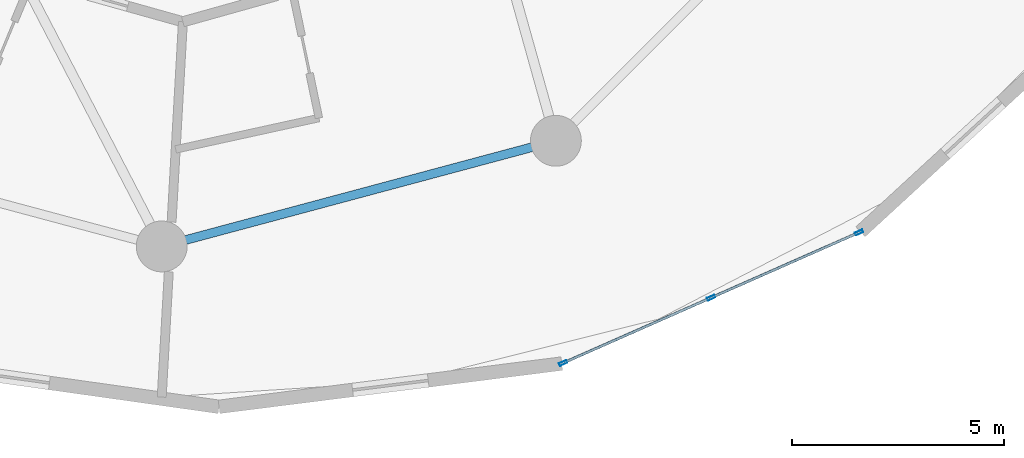
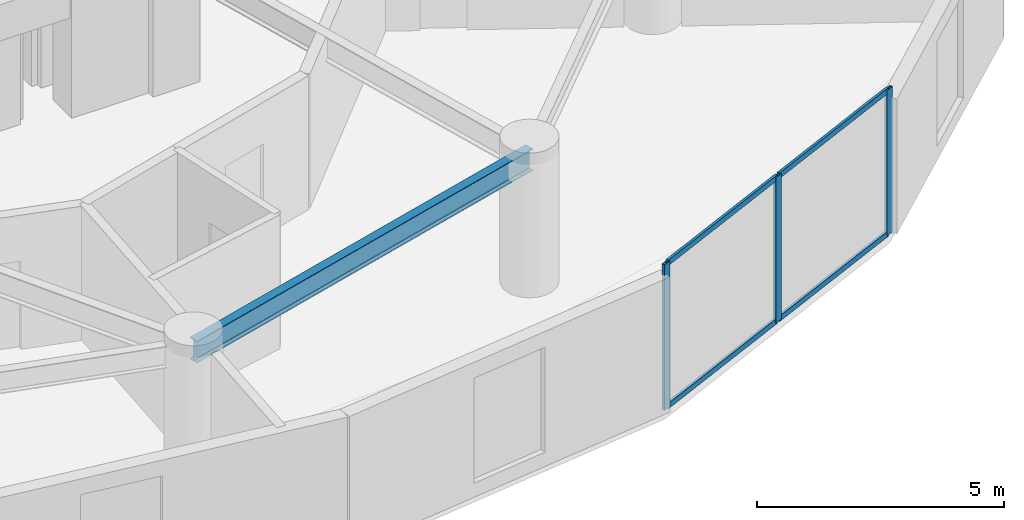
# One storey, part 10 of 25: 7 members, 1 beam, 1 element without a shape of its own.
"""IFC4 building model written with IfcOpenShell, lengths in metres."""

from ifc_helpers import new_model, si_unit, direction, frame, origin, origin_2d, place, context, subcontext, project, spatial, hollow_rectangle, i_section, extrude, source, transform, mapped, material, layer, layer_set, material_profile, profile_set, type_object, element, aggregate, save


model = new_model("IFC4")

# Units and contexts
model_context = context("Model", 3, precision=1e-05, world=origin(), true_north=direction((0.0, 1.0)))
body_context = subcontext(model_context, "Body", "Model", "MODEL_VIEW")
ifc_project = project(units=[si_unit("LENGTHUNIT", "METRE"), si_unit("AREAUNIT", "SQUARE_METRE"), si_unit("VOLUMEUNIT", "CUBIC_METRE"), si_unit("PLANEANGLEUNIT", "RADIAN"), si_unit("MASSUNIT", "GRAM", prefix="KILO")], contexts=[model_context])

# Site, building, storey
site_placement = place(None, origin())
site = spatial("IfcSite", under=ifc_project, at=site_placement, CompositionType="ELEMENT")
building_placement = place(site_placement, origin())
building = spatial("IfcBuilding", under=site, at=building_placement, Name="Solvirekh Grand Hotel", CompositionType="ELEMENT")
storey_placement = place(building_placement, frame((0.0, 0.0, 60.800048828125)))
storey = spatial("IfcBuildingStorey", under=building, at=storey_placement, Name="L14", CompositionType="ELEMENT", Elevation=60.800048828125)

# Beam
ifc_material_1 = material(Name="Steel S355", Category="steel")
ifc_material_profile_1 = material_profile(ifc_material_1, i_section(OverallWidth=0.208984375, OverallDepth=0.532958984375, WebThickness=0.010009765625, FlangeThickness=0.014892578125, FilletRadius=0.013916015625, at=origin_2d()), Name="W530X92")
ifc_profile_set_1 = profile_set([ifc_material_profile_1], Name="Steel S355")
beam_type = type_object("IfcBeamType", Name="Spandrel_Ring_W530", PredefinedType="SPANDREL", material=ifc_profile_set_1)
beam_placement = place(storey_placement, frame((0.0, -18.60009765625, 3.072998046875), z_axis=(0.965919414426, 0.258842973314, 0.0), x_axis=(-0.258842973314, 0.965919414426, 0.0)))
element("IfcBeam", 1, at=beam_placement, inside=storey, type_object=beam_type, Name="L14 perimeter spandrel beam 10", PredefinedType="SPANDREL", context=body_context, shape_type="SweptSolid", body=[
    extrude(i_section(OverallWidth=0.208984375, OverallDepth=0.532958984375, WebThickness=0.010009765625, FlangeThickness=0.014892578125, FilletRadius=0.013916015625, at=origin_2d()), origin(), (0.0, 0.0, 1.0), 9.628173828125),
])

# Curtain wall, members
ifc_material_2 = material(Name="Anodized Bronze Aluminium 6063-T6", Category="aluminium")
ifc_layer = layer(ifc_material_2, 0.18994140625)
ifc_layer_set = layer_set([ifc_layer], Name="Anodized Bronze Aluminium 6063-T6")
curtain_wall_type = type_object("IfcCurtainWallType", Name="CW_Sys2_LowZoneFlushBronzeCW", PredefinedType="NOTDEFINED", material=ifc_layer_set)
curtain_wall_placement = place(storey_placement, origin())
curtain_wall = element("IfcCurtainWall", 2, at=curtain_wall_placement, inside=storey, type_object=curtain_wall_type, Name="L14 unitised bronze-glass curtain wall CW-L14-C18", PredefinedType="NOTDEFINED")
ifc_material_profile_2 = material_profile(ifc_material_2, hollow_rectangle(XDim=0.06005859375, YDim=0.135009765625, WallThickness=0.00390625, at=origin_2d()), Name="ALU RHS 135X60X4")
ifc_profile_set_2 = profile_set([ifc_material_profile_2], Name="Anodized Bronze Aluminium 6063-T6")
member_type_1 = type_object("IfcMemberType", Name="CWTransom_Sys2", PredefinedType="USERDEFINED", material=ifc_profile_set_2)
shared_shape_1 = source(origin(), body_context, "Body", "SweptSolid", [
    extrude(hollow_rectangle(XDim=0.06005859375, YDim=0.135009765625, WallThickness=0.00390625, at=origin_2d()), origin(), (0.0, 0.0, 1.0), 3.74755859375),
])
member_1_placement = place(storey_placement, frame((9.5029296875, -21.337646484375, 0.030029296875), z_axis=(0.914880293603, 0.403725213947, 0.0), x_axis=(-0.403725213947, 0.914880293603, 0.0)))
member_1 = element("IfcMember", 3, at=member_1_placement, type_object=member_type_1, Name="U02 transom 1.1", ObjectType="TRANSOM", PredefinedType="USERDEFINED", context=body_context, shape_type="MappedRepresentation", body=[
    mapped(shared_shape_1, transform((0.0, 0.0, 0.0), x_axis=(1.0, 0.0, 0.0), y_axis=(0.0, 1.0, 0.0), z_axis=(0.0, 0.0, 1.0), scale=1.0)),
])
member_2_placement = place(storey_placement, frame((9.5029296875, -21.337646484375, 3.570068359375), z_axis=(0.914880293603, 0.403725213947, 0.0), x_axis=(-0.403725213947, 0.914880293603, 0.0)))
member_2 = element("IfcMember", 4, at=member_2_placement, type_object=member_type_1, Name="U02 transom 1.2", ObjectType="TRANSOM", PredefinedType="USERDEFINED", context=body_context, shape_type="MappedRepresentation", body=[
    mapped(shared_shape_1, transform((0.0, 0.0, 0.0), x_axis=(1.0, 0.0, 0.0), y_axis=(0.0, 1.0, 0.0), z_axis=(0.0, 0.0, 1.0), scale=1.0)),
])
member_3_placement = place(storey_placement, frame((12.99560546875, -19.79638671875, 0.030029296875), z_axis=(0.914856229348, 0.403779741472, 0.0), x_axis=(-0.403779741472, 0.914856229348, 0.0)))
member_3 = element("IfcMember", 5, at=member_3_placement, type_object=member_type_1, Name="U02 transom 2.1", ObjectType="TRANSOM", PredefinedType="USERDEFINED", context=body_context, shape_type="MappedRepresentation", body=[
    mapped(shared_shape_1, transform((0.0, 0.0, 0.0), x_axis=(1.0, 0.0, 0.0), y_axis=(0.0, 1.0, 0.0), z_axis=(0.0, 0.0, 1.0), scale=1.0)),
])
member_4_placement = place(storey_placement, frame((12.99560546875, -19.79638671875, 3.570068359375), z_axis=(0.914856229348, 0.403779741472, 0.0), x_axis=(-0.403779741472, 0.914856229348, 0.0)))
member_4 = element("IfcMember", 6, at=member_4_placement, type_object=member_type_1, Name="U02 transom 2.2", ObjectType="TRANSOM", PredefinedType="USERDEFINED", context=body_context, shape_type="MappedRepresentation", body=[
    mapped(shared_shape_1, transform((0.0, 0.0, 0.0), x_axis=(1.0, 0.0, 0.0), y_axis=(0.0, 1.0, 0.0), z_axis=(0.0, 0.0, 1.0), scale=1.0)),
])
ifc_material_profile_3 = material_profile(ifc_material_2, hollow_rectangle(XDim=0.070068359375, YDim=0.18994140625, WallThickness=0.0048828125, at=origin_2d()), Name="ALU RHS 190X70X5")
ifc_profile_set_3 = profile_set([ifc_material_profile_3], Name="Anodized Bronze Aluminium 6063-T6")
member_type_2 = type_object("IfcMemberType", Name="CWMullion_Sys2", PredefinedType="MULLION", material=ifc_profile_set_3)
shared_shape_2 = source(origin(), body_context, "Body", "SweptSolid", [
    extrude(hollow_rectangle(XDim=0.070068359375, YDim=0.18994140625, WallThickness=0.0048828125, at=origin_2d()), origin(), (0.0, 0.0, 1.0), 3.599853515625),
])
member_5_placement = place(storey_placement, frame((9.470947265625, -21.351806640625, 0.0), z_axis=(0.0, 0.0, 1.0), x_axis=(-0.403764820119, 0.914862814871, 0.0)))
member_5 = element("IfcMember", 7, at=member_5_placement, type_object=member_type_2, Name="U02 mullion 1", PredefinedType="MULLION", context=body_context, shape_type="MappedRepresentation", body=[
    mapped(shared_shape_2, transform((0.0, 0.0, 0.0), x_axis=(1.0, 0.0, 0.0), y_axis=(0.0, 1.0, 0.0), z_axis=(0.0, 0.0, 1.0), scale=1.0)),
])
member_6_placement = place(storey_placement, frame((12.96337890625, -19.810546875, 0.0), z_axis=(0.0, 0.0, 1.0), x_axis=(-0.403764820119, 0.914862814871, 0.0)))
member_6 = element("IfcMember", 8, at=member_6_placement, type_object=member_type_2, Name="U02 mullion 2", PredefinedType="MULLION", context=body_context, shape_type="MappedRepresentation", body=[
    mapped(shared_shape_2, transform((0.0, 0.0, 0.0), x_axis=(1.0, 0.0, 0.0), y_axis=(0.0, 1.0, 0.0), z_axis=(0.0, 0.0, 1.0), scale=1.0)),
])
member_7_placement = place(storey_placement, frame((16.4560546875, -18.26904296875, 0.0), z_axis=(0.0, 0.0, 1.0), x_axis=(-0.403764820119, 0.914862814871, 0.0)))
member_7 = element("IfcMember", 9, at=member_7_placement, type_object=member_type_2, Name="U02 mullion 3", PredefinedType="MULLION", context=body_context, shape_type="MappedRepresentation", body=[
    mapped(shared_shape_2, transform((0.0, 0.0, 0.0), x_axis=(1.0, 0.0, 0.0), y_axis=(0.0, 1.0, 0.0), z_axis=(0.0, 0.0, 1.0), scale=1.0)),
])
aggregate(curtain_wall, [member_5, member_6, member_7, member_1, member_2, member_3, member_4])

save(model, "model.ifc")
